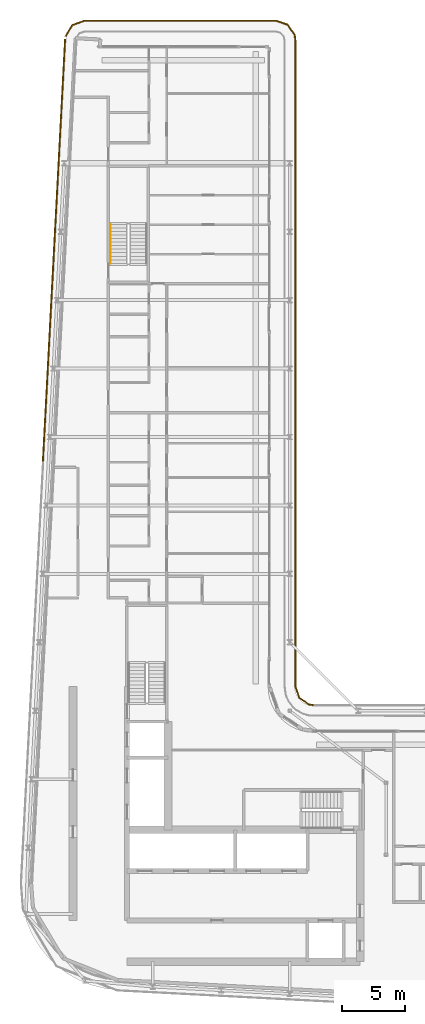
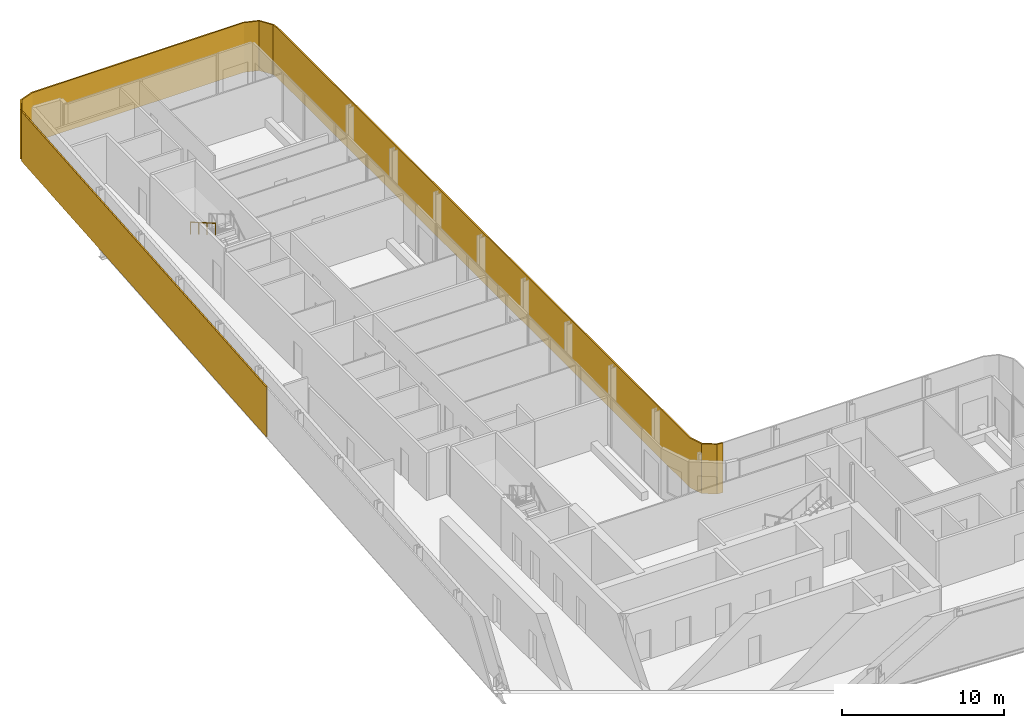
# One storey, part 19 of 21: 2 shading devices, 1 railing.
"""IFC4 building model written with IfcOpenShell, lengths in metres."""

from ifc_helpers import new_model, si_unit, direction, frame, origin, origin_2d, place, context, subcontext, project, spatial, polyline, rectangle, circle, outline, extrude, material, layer, layer_set, type_object, element, save


model = new_model("IFC4")

# Units and contexts
model_context = context("Model", 3, precision=1e-05, world=origin(), true_north=direction((0.0, 1.0)))
body_context = subcontext(model_context, "Body", "Model", "MODEL_VIEW")
ifc_project = project(units=[si_unit("LENGTHUNIT", "METRE"), si_unit("AREAUNIT", "SQUARE_METRE"), si_unit("VOLUMEUNIT", "CUBIC_METRE"), si_unit("PLANEANGLEUNIT", "RADIAN"), si_unit("MASSUNIT", "GRAM", prefix="KILO")], contexts=[model_context])

# Site, building, storey
site_placement = place(None, origin())
site = spatial("IfcSite", under=ifc_project, at=site_placement, CompositionType="ELEMENT")
building_placement = place(site_placement, origin())
building = spatial("IfcBuilding", under=site, at=building_placement, Name="Kheshtan School and Residences Tower", CompositionType="ELEMENT")
storey_placement = place(building_placement, frame((0.0, 0.0, 305.89990234375)))
storey = spatial("IfcBuildingStorey", under=building, at=storey_placement, Name="L72", CompositionType="ELEMENT", Elevation=305.89990234375)

# Shading devices
ifc_material_1 = material(Name="Terracotta baguette, extruded ceramic", Category="masonry")
ifc_layer_1 = layer(ifc_material_1, 0.10009765625)
ifc_layer_set_1 = layer_set([ifc_layer_1], Name="Ledge screen, terracotta baguettes")
shading_device_type_1 = type_object("IfcShadingDeviceType", Name="Ledge screen, terracotta baguettes", PredefinedType="USERDEFINED", material=ifc_layer_set_1)
shading_device_1_placement = place(storey_placement, frame((28.9990234375, 81.93408203125, 0.0), z_axis=(0.0, 0.0, 1.0), x_axis=(0.052562536748, 0.998617634398, 0.0)))
element("IfcShadingDevice", 1, at=shading_device_1_placement, inside=storey, type_object=shading_device_type_1, Name="Screen L72 5", ObjectType="BAGUETTE", PredefinedType="USERDEFINED", context=body_context, shape_type="SweptSolid", body=[
    extrude(rectangle(XDim=33.341064453125, YDim=0.10009765625, at=origin_2d()), origin(), (0.0, 0.0, 1.0), 3.75),
])
ifc_material_2 = material(Name="Terracotta lattice, extruded ceramic", Category="masonry")
ifc_layer_2 = layer(ifc_material_2, 0.10009765625)
ifc_layer_set_2 = layer_set([ifc_layer_2], Name="Loggia screen, terracotta lattice")
shading_device_type_2 = type_object("IfcShadingDeviceType", Name="Loggia screen, terracotta lattice", PredefinedType="USERDEFINED", material=ifc_layer_set_2)
shading_device_2_placement = place(storey_placement, origin())
element("IfcShadingDevice", 2, at=shading_device_2_placement, inside=storey, type_object=shading_device_type_2, Name="Screen L72 1", ObjectType="SCREEN", PredefinedType="USERDEFINED", context=body_context, shape_type="SweptSolid", body=[
    extrude(outline(polyline([(29.949951171875, 98.783935546875), (30.468017578125, 99.656982421875), (31.423095703125, 100.0), (46.5, 100.0), (47.4130859375, 99.68994140625), (47.948974609375, 98.887939453125), (48.0, 98.5), (48.0, 47.5), (48.31005859375, 46.5869140625), (49.112060546875, 46.051025390625), (49.5, 46.0), (49.512939453125, 46.09912109375), (49.14794921875, 46.14697265625), (48.39404296875, 46.65087890625), (48.10009765625, 47.51708984375), (48.10009765625, 98.507080078125), (48.044921875, 98.924072265625), (47.47705078125, 99.77392578125), (46.51708984375, 100.10009765625), (31.406005859375, 100.10009765625), (30.39990234375, 99.739013671875), (29.864013671875, 98.8349609375), (29.949951171875, 98.783935546875)])), origin(), (0.0, 0.0, 1.0), 3.75),
])

# Railing
ifc_material_3 = material(Name="Stainless steel handrail", Category="steel")
railing_type = type_object("IfcRailingType", Name="Stair handrail 900", PredefinedType="HANDRAIL", material=ifc_material_3)
railing_placement = place(storey_placement, frame((33.449951171875, 83.97998046875, 2.112548828125)))
element("IfcRailing", 3, at=railing_placement, inside=storey, type_object=railing_type, Name="L72 ST3 stair handrail 2", PredefinedType="HANDRAIL", context=body_context, shape_type="SweptSolid", body=[
    extrude(circle(Radius=0.02392578125, at=origin_2d()), frame((0.0, 0.0, 0.8759765625), z_axis=(0.0, -0.864890721111, 0.501960198159), x_axis=(1.0, 0.0, 0.0)), (0.0, 0.0, 1.0), 3.561279296875),
    extrude(circle(Radius=0.02099609375, at=origin_2d()), origin(), (0.0, 0.0, 1.0), 0.851806640625),
    extrude(circle(Radius=0.02099609375, at=origin_2d()), frame((0.0, -1.026611328125, 0.595947265625)), (0.0, 0.0, 1.0), 0.851806640625),
    extrude(circle(Radius=0.02099609375, at=origin_2d()), frame((0.0, -2.053466796875, 1.191650390625)), (0.0, 0.0, 1.0), 0.851806640625),
    extrude(circle(Radius=0.02099609375, at=origin_2d()), frame((0.0, -3.080078125, 1.78759765625)), (0.0, 0.0, 1.0), 0.851806640625),
])

save(model, "model.ifc")
